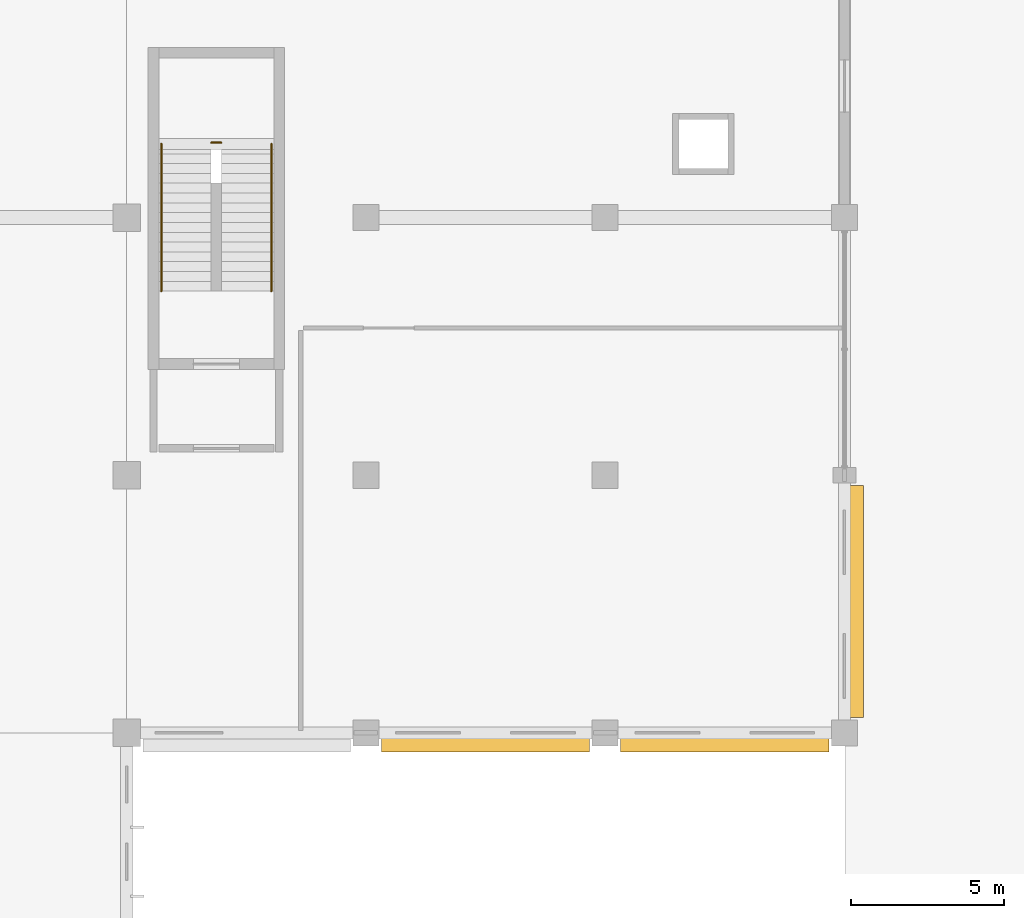
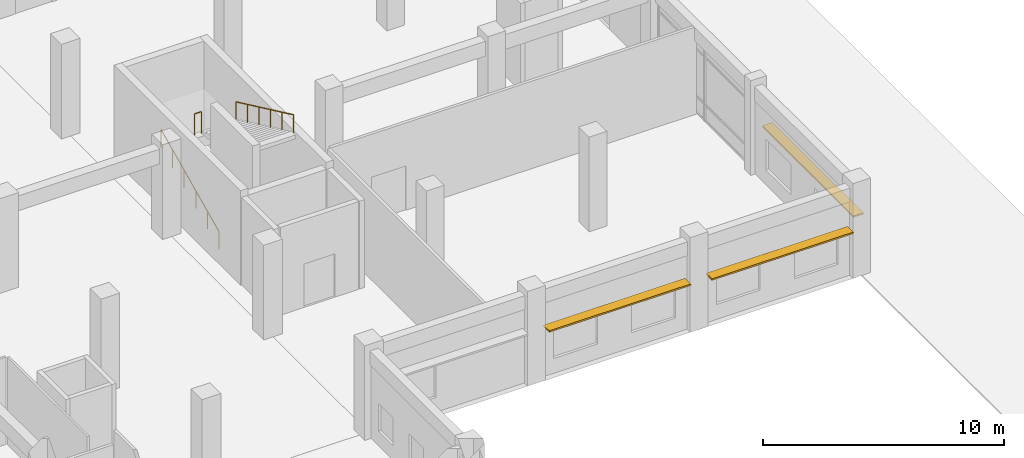
# One storey, part 72 of 74: 3 railings, 3 shading devices.
"""IFC4 building model written with IfcOpenShell, lengths in metres."""

from ifc_helpers import new_model, si_unit, direction, frame, origin, origin_2d, place, context, subcontext, project, spatial, rectangle, circle, extrude, material, layer, layer_set, type_object, element, save


model = new_model("IFC4")

# Units and contexts
model_context = context("Model", 3, precision=1e-05, world=origin(), true_north=direction((0.0, 1.0)))
body_context = subcontext(model_context, "Body", "Model", "MODEL_VIEW")
ifc_project = project(units=[si_unit("LENGTHUNIT", "METRE"), si_unit("AREAUNIT", "SQUARE_METRE"), si_unit("VOLUMEUNIT", "CUBIC_METRE"), si_unit("PLANEANGLEUNIT", "RADIAN"), si_unit("MASSUNIT", "GRAM", prefix="KILO"), si_unit("THERMODYNAMICTEMPERATUREUNIT", "KELVIN"), si_unit("POWERUNIT", "WATT")], contexts=[model_context])

# Site, building, storey
site_placement = place(None, origin())
site = spatial("IfcSite", under=ifc_project, at=site_placement, CompositionType="ELEMENT")
building_placement = place(site_placement, origin())
building = spatial("IfcBuilding", under=site, at=building_placement, Name="Srebrne Nadtorze General Hospital", CompositionType="ELEMENT")
storey_placement = place(building_placement, origin())
storey = spatial("IfcBuildingStorey", under=building, at=storey_placement, Name="L00", CompositionType="ELEMENT", Elevation=0.0)

# Shading devices
ifc_material_1 = material(Name="Anodised Aluminium", Category="aluminium")
ifc_layer = layer(ifc_material_1, 0.080078125)
ifc_layer_set = layer_set([ifc_layer], Name="Anodised Aluminium")
shading_device_type = type_object("IfcShadingDeviceType", Name="Hisashi horizontal aluminium sunshade", PredefinedType="JALOUSIE", material=ifc_layer_set)
for number, where, z_axis, x_axis, name in (
    (1, (159.89990234375, 33.219970703125, 2.52001953125), (0.0, 0.0, 1.0), (1.0, 0.0, 0.0), "Hisashi horizontal sunshade eave LV-024"),
    (2, (167.699951171875, 33.219970703125, 2.419921875), (0.0, 0.0, 1.0), (1.0, 0.0, 0.0), "Hisashi horizontal sunshade eave LV-025"),
):
    element("IfcShadingDevice", number, at=place(storey_placement, frame(where, z_axis=z_axis, x_axis=x_axis)), inside=storey, type_object=shading_device_type, Name=name, PredefinedType="JALOUSIE", context=body_context, shape_type="SweptSolid", body=[
        extrude(rectangle(XDim=6.7900390625, YDim=0.47998046875, at=origin_2d()), origin(), (0.0, 0.0, 1.0), 0.080078125),
    ])
shading_device_placement = place(storey_placement, frame((171.97998046875, 37.887451171875, 2.320068359375), z_axis=(0.0, 0.0, 1.0), x_axis=(1.0, 0.0, 0.0)))
element("IfcShadingDevice", 3, at=shading_device_placement, inside=storey, type_object=shading_device_type, Name="Hisashi horizontal sunshade eave LV-048", PredefinedType="JALOUSIE", context=body_context, shape_type="SweptSolid", body=[
    extrude(rectangle(XDim=0.47998046875, YDim=7.56494140625, at=origin_2d()), origin(), (0.0, 0.0, 1.0), 0.080078125),
])

# Railings
ifc_material_2 = material(Name="Stainless Steel 316", Category="steel")
railing_type_1 = type_object("IfcRailingType", Name="Stairwell safety guard 1120", PredefinedType="BALUSTRADE", material=ifc_material_2)
railing_1_placement = place(storey_placement, frame((150.965087890625, 52.840087890625, 2.39990234375)))
element("IfcRailing", 4, at=railing_1_placement, inside=storey, type_object=railing_type_1, Name="Half landing well guard ST-06-L00", PredefinedType="BALUSTRADE", context=body_context, shape_type="SweptSolid", body=[
    extrude(circle(Radius=0.02392578125, at=origin_2d()), frame((0.0, 0.0, 1.09619140625), z_axis=(1.0, 0.0, 0.0), x_axis=(0.0, 1.0, 0.0)), (0.0, 0.0, 1.0), 0.31982421875),
    extrude(circle(Radius=0.02099609375, at=origin_2d()), origin(), (0.0, 0.0, 1.0), 1.072021484375),
    extrude(circle(Radius=0.02099609375, at=origin_2d()), frame((0.31982421875, 0.0, 0.0)), (0.0, 0.0, 1.0), 1.072021484375),
])
ifc_material_3 = material(Name="Stainless Steel 316", Category="steel")
railing_type_2 = type_object("IfcRailingType", Name="Tubular stainless handrail 920", PredefinedType="HANDRAIL", material=ifc_material_3)
railing_2_placement = place(storey_placement, frame((149.330078125, 48.0, 0.14990234375)))
element("IfcRailing", 5, at=railing_2_placement, inside=storey, type_object=railing_type_2, Name="Stair flight handrail ST-06-L00 F1", PredefinedType="HANDRAIL", context=body_context, shape_type="SweptSolid", body=[
    extrude(circle(Radius=0.02392578125, at=origin_2d()), frame((0.0, 0.0, 0.89599609375), z_axis=(0.0, 0.90546059521, 0.424430336476), x_axis=(-1.0, 0.0, 0.0)), (0.0, 0.0, 1.0), 5.30126953125),
    extrude(circle(Radius=0.02099609375, at=origin_2d()), origin(), (0.0, 0.0, 1.0), 0.871826171875),
    extrude(circle(Radius=0.02099609375, at=origin_2d()), frame((0.0, 0.9599609375, 0.449951171875)), (0.0, 0.0, 1.0), 0.871826171875),
    extrude(circle(Radius=0.02099609375, at=origin_2d()), frame((0.0, 1.919921875, 0.89990234375)), (0.0, 0.0, 1.0), 0.871826171875),
    extrude(circle(Radius=0.02099609375, at=origin_2d()), frame((0.0, 2.880126953125, 1.35009765625)), (0.0, 0.0, 1.0), 0.871826171875),
    extrude(circle(Radius=0.02099609375, at=origin_2d()), frame((0.0, 3.840087890625, 1.800048828125)), (0.0, 0.0, 1.0), 0.871826171875),
    extrude(circle(Radius=0.02099609375, at=origin_2d()), frame((0.0, 4.800048828125, 2.25)), (0.0, 0.0, 1.0), 0.871826171875),
])
railing_3_placement = place(storey_placement, frame((152.919921875, 52.800048828125, 2.550048828125)))
element("IfcRailing", 6, at=railing_3_placement, inside=storey, type_object=railing_type_2, Name="Stair flight handrail ST-06-L00 F2", PredefinedType="HANDRAIL", context=body_context, shape_type="SweptSolid", body=[
    extrude(circle(Radius=0.02392578125, at=origin_2d()), frame((0.0, 0.0, 0.89599609375), z_axis=(0.0, -0.90546059521, 0.424430336476), x_axis=(1.0, 0.0, 0.0)), (0.0, 0.0, 1.0), 5.30126953125),
    extrude(circle(Radius=0.02099609375, at=origin_2d()), origin(), (0.0, 0.0, 1.0), 0.871826171875),
    extrude(circle(Radius=0.02099609375, at=origin_2d()), frame((0.0, -0.9599609375, 0.449951171875)), (0.0, 0.0, 1.0), 0.871826171875),
    extrude(circle(Radius=0.02099609375, at=origin_2d()), frame((0.0, -1.919921875, 0.89990234375)), (0.0, 0.0, 1.0), 0.871826171875),
    extrude(circle(Radius=0.02099609375, at=origin_2d()), frame((0.0, -2.880126953125, 1.35009765625)), (0.0, 0.0, 1.0), 0.871826171875),
    extrude(circle(Radius=0.02099609375, at=origin_2d()), frame((0.0, -3.840087890625, 1.800048828125)), (0.0, 0.0, 1.0), 0.871826171875),
    extrude(circle(Radius=0.02099609375, at=origin_2d()), frame((0.0, -4.800048828125, 2.25)), (0.0, 0.0, 1.0), 0.871826171875),
])

save(model, "model.ifc")
